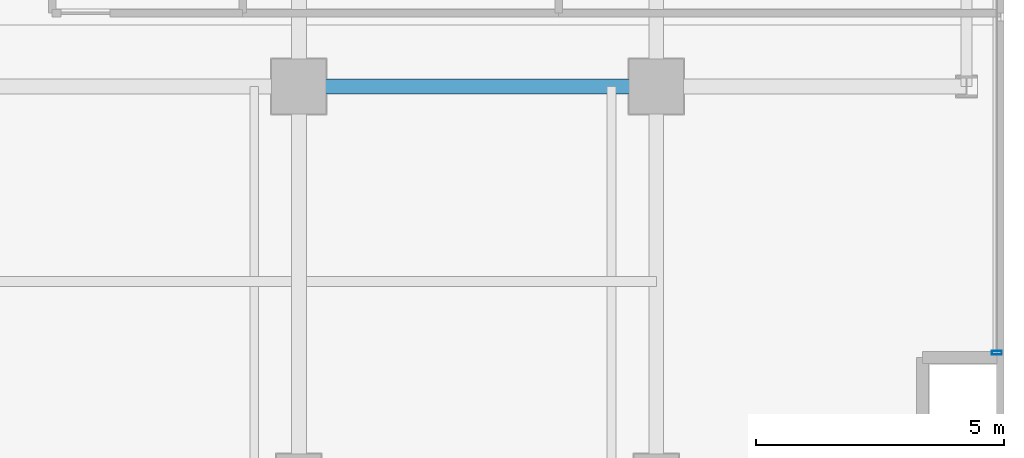
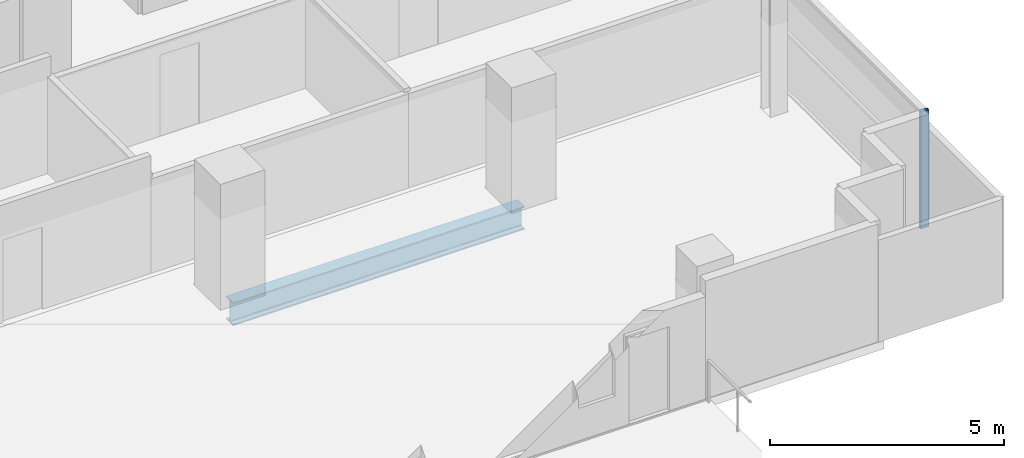
# One storey, part 11 of 31: 1 beam, 1 member, 1 element without a shape of its own.
"""IFC4 building model written with IfcOpenShell, lengths in metres."""

from ifc_helpers import new_model, si_unit, direction, frame, origin, origin_2d, place, context, subcontext, project, spatial, hollow_rectangle, i_section, extrude, source, transform, mapped, material, layer, layer_set, material_profile, profile_set, type_object, element, aggregate, save


model = new_model("IFC4")

# Units and contexts
model_context = context("Model", 3, precision=1e-05, world=origin(), true_north=direction((0.0, 1.0)))
body_context = subcontext(model_context, "Body", "Model", "MODEL_VIEW")
ifc_project = project(units=[si_unit("LENGTHUNIT", "METRE"), si_unit("AREAUNIT", "SQUARE_METRE"), si_unit("VOLUMEUNIT", "CUBIC_METRE"), si_unit("PLANEANGLEUNIT", "RADIAN"), si_unit("MASSUNIT", "GRAM", prefix="KILO")], contexts=[model_context])

# Site, building, storey
site_placement = place(None, origin())
site = spatial("IfcSite", under=ifc_project, at=site_placement, CompositionType="ELEMENT")
building_placement = place(site_placement, origin())
building = spatial("IfcBuilding", under=site, at=building_placement, Name="Zarnakvel Exchange Tower", CompositionType="ELEMENT")
storey_placement = place(building_placement, frame((0.0, 0.0, 47.199951171875)))
storey = spatial("IfcBuildingStorey", under=building, at=storey_placement, Name="L12", CompositionType="ELEMENT", Elevation=47.199951171875)

# Beam
ifc_material_1 = material(Name="Steel S355", Category="steel")
ifc_material_profile_1 = material_profile(ifc_material_1, i_section(OverallWidth=0.300048828125, OverallDepth=0.60009765625, WebThickness=0.015380859375, FlangeThickness=0.030029296875, FilletRadius=0.027099609375, at=origin_2d()))
ifc_profile_set_1 = profile_set([ifc_material_profile_1], Name="Steel S355")
beam_type = type_object("IfcBeamType", Name="G-04", PredefinedType="BEAM", material=ifc_profile_set_1)
beam_placement = place(storey_placement, frame((14.39990234375, -9.60009765625, -0.52490234375), z_axis=(1.0, 0.0, 0.0), x_axis=(0.0, 1.0, 0.0)))
element("IfcBeam", 1, at=beam_placement, inside=storey, type_object=beam_type, Name="L12 Tower E-W Frame Beam", PredefinedType="BEAM", context=body_context, shape_type="SweptSolid", body=[
    extrude(i_section(OverallWidth=0.300048828125, OverallDepth=0.60009765625, WebThickness=0.015380859375, FlangeThickness=0.030029296875, FilletRadius=0.027099609375, at=origin_2d()), origin(), (0.0, 0.0, 1.0), 7.2001953125),
])

# Curtain wall, member
ifc_material_2 = material(Name="Architectural Bronze Anodised Aluminium", Category="aluminium")
ifc_layer = layer(ifc_material_2, 0.199951171875)
ifc_layer_set = layer_set([ifc_layer], Name="Architectural Bronze Anodised Aluminium")
curtain_wall_type = type_object("IfcCurtainWallType", Name="CW-04", PredefinedType="NOTDEFINED", material=ifc_layer_set)
curtain_wall_placement = place(storey_placement, origin())
curtain_wall = element("IfcCurtainWall", 2, at=curtain_wall_placement, inside=storey, type_object=curtain_wall_type, Name="L12 Curtain Wall CW-L12-E1 (CW-04)", PredefinedType="NOTDEFINED")
ifc_material_profile_2 = material_profile(ifc_material_2, hollow_rectangle(XDim=0.199951171875, YDim=0.074951171875, WallThickness=0.0048828125, at=origin_2d()))
ifc_profile_set_2 = profile_set([ifc_material_profile_2], Name="Architectural Bronze Anodised Aluminium")
member_type = type_object("IfcMemberType", Name="CWM-04", PredefinedType="MULLION", material=ifc_profile_set_2)
shared_shape = source(origin(), body_context, "Body", "SweptSolid", [
    extrude(hollow_rectangle(XDim=0.199951171875, YDim=0.074951171875, WallThickness=0.0048828125, at=origin_2d()), origin(), (0.0, 0.0, 1.0), 3.054931640625),
])
member_placement = place(storey_placement, frame((28.4599609375, -14.96240234375, 0.0), z_axis=(0.0, 0.0, 1.0), x_axis=(-1.0, 0.0, 0.0)))
member = element("IfcMember", 3, at=member_placement, type_object=member_type, Name="CW-04 mullion 1", PredefinedType="MULLION", context=body_context, shape_type="MappedRepresentation", body=[
    mapped(shared_shape, transform((0.0, 0.0, 0.0), x_axis=(1.0, 0.0, 0.0), y_axis=(0.0, 1.0, 0.0), z_axis=(0.0, 0.0, 1.0), scale=1.0)),
])
aggregate(curtain_wall, [member])

save(model, "model.ifc")
